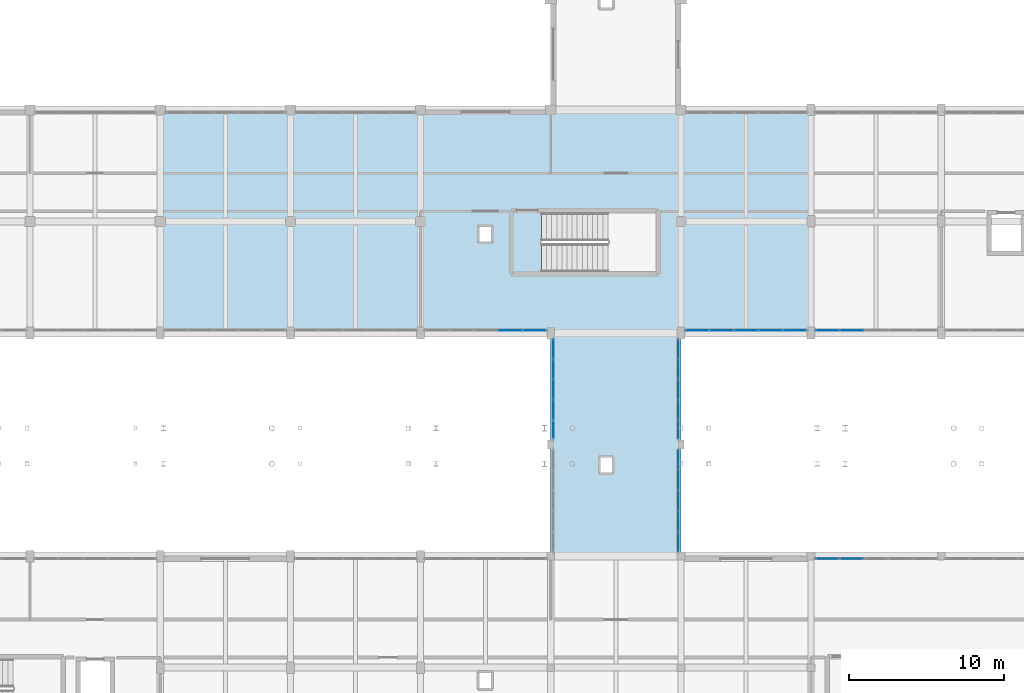
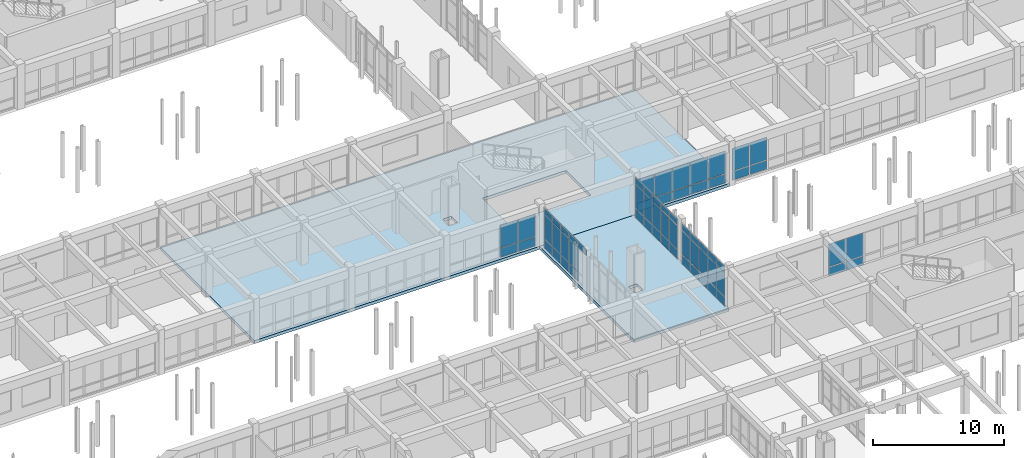
# One storey, part 110 of 147: 65 plates, 2 slabs, 7 elements without a shape of their own.
"""IFC4 building model written with IfcOpenShell, lengths in metres."""

from ifc_helpers import new_model, si_unit, direction, frame, origin, origin_2d, place, context, subcontext, project, spatial, polyline, rectangle, outline, extrude, material, layer, layer_set, type_object, element, aggregate, save


model = new_model("IFC4")

# Units and contexts
model_context = context("Model", 3, precision=1e-05, world=origin(), true_north=direction((0.0, 1.0)))
body_context = subcontext(model_context, "Body", "Model", "MODEL_VIEW")
ifc_project = project(units=[si_unit("LENGTHUNIT", "METRE"), si_unit("AREAUNIT", "SQUARE_METRE"), si_unit("VOLUMEUNIT", "CUBIC_METRE"), si_unit("PLANEANGLEUNIT", "RADIAN"), si_unit("MASSUNIT", "GRAM", prefix="KILO")], contexts=[model_context])

# Site, building, storey
site_placement = place(None, origin())
site = spatial("IfcSite", under=ifc_project, at=site_placement, CompositionType="ELEMENT")
building_placement = place(site_placement, origin())
building = spatial("IfcBuilding", under=site, at=building_placement, Name="Malvenik Polytechnic", CompositionType="ELEMENT")
storey_placement = place(building_placement, frame((0.0, 0.0, 5.10009765625)))
storey = spatial("IfcBuildingStorey", under=building, at=storey_placement, Name="L01", CompositionType="ELEMENT", Elevation=5.10009765625)

# Curtain wall, plates
ifc_material_1 = material(Name="Anodised aluminium 6060-T6", Category="aluminium")
curtain_wall_type_1 = type_object("IfcCurtainWallType", Name="ARC-CW-CW-04", PredefinedType="NOTDEFINED", material=ifc_material_1)
curtain_wall_1_placement = place(storey_placement, origin())
curtain_wall_1 = element("IfcCurtainWall", 1, at=curtain_wall_1_placement, inside=storey, type_object=curtain_wall_type_1, Name="Unitised Curtain Wall CW-04 L01 #24", PredefinedType="NOTDEFINED")
ifc_material_2 = material(Name="Insulated low-E double glazing 8-16-8", Category="glass")
ifc_layer_1 = layer(ifc_material_2, 0.028076171875)
ifc_layer_set_1 = layer_set([ifc_layer_1], Name="Insulated low-E double glazing 8-16-8")
plate_type_1 = type_object("IfcPlateType", Name="ARC-CWP-CP-GLZ28", PredefinedType="CURTAIN_PANEL", material=ifc_layer_set_1)
plate_1_placement = place(storey_placement, frame((75.77001953125, 72.9658203125, 3.239990234375), z_axis=(0.0, 0.0, 1.0), x_axis=(0.0, 1.0, 0.0)))
plate_1 = element("IfcPlate", 2, at=plate_1_placement, type_object=plate_type_1, Name="CW-04 panel 1.3", PredefinedType="CURTAIN_PANEL", context=body_context, shape_type="SweptSolid", body=[
    extrude(rectangle(XDim=1.2158203125, YDim=0.028076171875, at=origin_2d()), origin(), (0.0, 0.0, 1.0), 0.56005859375),
])
plate_2_placement = place(storey_placement, frame((75.77001953125, 74.256591796875, 0.97998046875), z_axis=(0.0, 0.0, 1.0), x_axis=(0.0, 1.0, 0.0)))
plate_2 = element("IfcPlate", 3, at=plate_2_placement, type_object=plate_type_1, Name="CW-04 panel 2.2", PredefinedType="CURTAIN_PANEL", context=body_context, shape_type="SweptSolid", body=[
    extrude(rectangle(XDim=1.245849609375, YDim=0.028076171875, at=origin_2d()), origin(), (0.0, 0.0, 1.0), 2.199951171875),
])
plate_3_placement = place(storey_placement, frame((75.77001953125, 74.256591796875, 3.239990234375), z_axis=(0.0, 0.0, 1.0), x_axis=(0.0, 1.0, 0.0)))
plate_3 = element("IfcPlate", 4, at=plate_3_placement, type_object=plate_type_1, Name="CW-04 panel 2.3", PredefinedType="CURTAIN_PANEL", context=body_context, shape_type="SweptSolid", body=[
    extrude(rectangle(XDim=1.245849609375, YDim=0.028076171875, at=origin_2d()), origin(), (0.0, 0.0, 1.0), 0.56005859375),
])
plate_4_placement = place(storey_placement, frame((75.77001953125, 75.5625, 0.97998046875), z_axis=(0.0, 0.0, 1.0), x_axis=(0.0, 1.0, 0.0)))
plate_4 = element("IfcPlate", 5, at=plate_4_placement, type_object=plate_type_1, Name="CW-04 panel 3.2", PredefinedType="CURTAIN_PANEL", context=body_context, shape_type="SweptSolid", body=[
    extrude(rectangle(XDim=1.245849609375, YDim=0.028076171875, at=origin_2d()), origin(), (0.0, 0.0, 1.0), 2.199951171875),
])
plate_5_placement = place(storey_placement, frame((75.77001953125, 75.5625, 3.239990234375), z_axis=(0.0, 0.0, 1.0), x_axis=(0.0, 1.0, 0.0)))
plate_5 = element("IfcPlate", 6, at=plate_5_placement, type_object=plate_type_1, Name="CW-04 panel 3.3", PredefinedType="CURTAIN_PANEL", context=body_context, shape_type="SweptSolid", body=[
    extrude(rectangle(XDim=1.245849609375, YDim=0.028076171875, at=origin_2d()), origin(), (0.0, 0.0, 1.0), 0.56005859375),
])
plate_6_placement = place(storey_placement, frame((75.77001953125, 76.868408203125, 0.97998046875), z_axis=(0.0, 0.0, 1.0), x_axis=(0.0, 1.0, 0.0)))
plate_6 = element("IfcPlate", 7, at=plate_6_placement, type_object=plate_type_1, Name="CW-04 panel 4.2", PredefinedType="CURTAIN_PANEL", context=body_context, shape_type="SweptSolid", body=[
    extrude(rectangle(XDim=1.245849609375, YDim=0.028076171875, at=origin_2d()), origin(), (0.0, 0.0, 1.0), 2.199951171875),
])
plate_7_placement = place(storey_placement, frame((75.77001953125, 76.868408203125, 3.239990234375), z_axis=(0.0, 0.0, 1.0), x_axis=(0.0, 1.0, 0.0)))
plate_7 = element("IfcPlate", 8, at=plate_7_placement, type_object=plate_type_1, Name="CW-04 panel 4.3", PredefinedType="CURTAIN_PANEL", context=body_context, shape_type="SweptSolid", body=[
    extrude(rectangle(XDim=1.245849609375, YDim=0.028076171875, at=origin_2d()), origin(), (0.0, 0.0, 1.0), 0.56005859375),
])
plate_8_placement = place(storey_placement, frame((75.77001953125, 78.1591796875, 0.97998046875), z_axis=(0.0, 0.0, 1.0), x_axis=(0.0, 1.0, 0.0)))
plate_8 = element("IfcPlate", 9, at=plate_8_placement, type_object=plate_type_1, Name="CW-04 panel 5.2", PredefinedType="CURTAIN_PANEL", context=body_context, shape_type="SweptSolid", body=[
    extrude(rectangle(XDim=1.2158203125, YDim=0.028076171875, at=origin_2d()), origin(), (0.0, 0.0, 1.0), 2.199951171875),
])
plate_9_placement = place(storey_placement, frame((75.77001953125, 78.1591796875, 3.239990234375), z_axis=(0.0, 0.0, 1.0), x_axis=(0.0, 1.0, 0.0)))
plate_9 = element("IfcPlate", 10, at=plate_9_placement, type_object=plate_type_1, Name="CW-04 panel 5.3", PredefinedType="CURTAIN_PANEL", context=body_context, shape_type="SweptSolid", body=[
    extrude(rectangle(XDim=1.2158203125, YDim=0.028076171875, at=origin_2d()), origin(), (0.0, 0.0, 1.0), 0.56005859375),
])

curtain_wall_type_2 = type_object("IfcCurtainWallType", Name="ARC-CW-CW-02", PredefinedType="NOTDEFINED", material=ifc_material_1)
curtain_wall_2_placement = place(storey_placement, origin())
curtain_wall_2 = element("IfcCurtainWall", 11, at=curtain_wall_2_placement, inside=storey, type_object=curtain_wall_type_2, Name="Unitised Curtain Wall CW-02 L01 #25", PredefinedType="NOTDEFINED")
plate_10_placement = place(storey_placement, frame((74.546630859375, 79.3701171875, 0.929931640625), z_axis=(0.0, 0.0, 1.0), x_axis=(-1.0, 0.0, 0.0)))
plate_10 = element("IfcPlate", 12, at=plate_10_placement, type_object=plate_type_1, Name="CW-02 panel 1.2", PredefinedType="CURTAIN_PANEL", context=body_context, shape_type="SweptSolid", body=[
    extrude(rectangle(XDim=1.49072265625, YDim=0.028076171875, at=origin_2d()), origin(), (0.0, 0.0, 1.0), 2.1201171875),
])
plate_11_placement = place(storey_placement, frame((72.980712890625, 79.3701171875, 0.929931640625), z_axis=(0.0, 0.0, 1.0), x_axis=(-1.0, 0.0, 0.0)))
plate_11 = element("IfcPlate", 13, at=plate_11_placement, type_object=plate_type_1, Name="CW-02 panel 2.2", PredefinedType="CURTAIN_PANEL", context=body_context, shape_type="SweptSolid", body=[
    extrude(rectangle(XDim=1.520751953125, YDim=0.028076171875, at=origin_2d()), origin(), (0.0, 0.0, 1.0), 2.1201171875),
])

curtain_wall_3_placement = place(storey_placement, origin())
curtain_wall_3 = element("IfcCurtainWall", 14, at=curtain_wall_3_placement, inside=storey, type_object=curtain_wall_type_2, Name="Unitised Curtain Wall CW-02 L01 #80", PredefinedType="NOTDEFINED")
plate_12_placement = place(storey_placement, frame((95.019287109375, 79.3701171875, 0.929931640625), z_axis=(0.0, 0.0, 1.0), x_axis=(-1.0, 0.0, 0.0)))
plate_12 = element("IfcPlate", 15, at=plate_12_placement, type_object=plate_type_1, Name="CW-02 panel 4.2", PredefinedType="CURTAIN_PANEL", context=body_context, shape_type="SweptSolid", body=[
    extrude(rectangle(XDim=1.520751953125, YDim=0.028076171875, at=origin_2d()), origin(), (0.0, 0.0, 1.0), 2.1201171875),
])
plate_13_placement = place(storey_placement, frame((93.453369140625, 79.3701171875, 0.929931640625), z_axis=(0.0, 0.0, 1.0), x_axis=(-1.0, 0.0, 0.0)))
plate_13 = element("IfcPlate", 16, at=plate_13_placement, type_object=plate_type_1, Name="CW-02 panel 5.2", PredefinedType="CURTAIN_PANEL", context=body_context, shape_type="SweptSolid", body=[
    extrude(rectangle(XDim=1.49072265625, YDim=0.028076171875, at=origin_2d()), origin(), (0.0, 0.0, 1.0), 2.1201171875),
])

curtain_wall_4_placement = place(storey_placement, origin())
curtain_wall_4 = element("IfcCurtainWall", 17, at=curtain_wall_4_placement, inside=storey, type_object=curtain_wall_type_2, Name="Unitised Curtain Wall CW-02 L01 #81", PredefinedType="NOTDEFINED")
plate_14_placement = place(storey_placement, frame((91.3466796875, 79.3701171875, 0.929931640625), z_axis=(0.0, 0.0, 1.0), x_axis=(-1.0, 0.0, 0.0)))
plate_14 = element("IfcPlate", 18, at=plate_14_placement, type_object=plate_type_1, Name="CW-02 panel 1.2", PredefinedType="CURTAIN_PANEL", context=body_context, shape_type="SweptSolid", body=[
    extrude(rectangle(XDim=1.49072265625, YDim=0.028076171875, at=origin_2d()), origin(), (0.0, 0.0, 1.0), 2.1201171875),
])
plate_15_placement = place(storey_placement, frame((89.78076171875, 79.3701171875, 0.929931640625), z_axis=(0.0, 0.0, 1.0), x_axis=(-1.0, 0.0, 0.0)))
plate_15 = element("IfcPlate", 19, at=plate_15_placement, type_object=plate_type_1, Name="CW-02 panel 2.2", PredefinedType="CURTAIN_PANEL", context=body_context, shape_type="SweptSolid", body=[
    extrude(rectangle(XDim=1.520751953125, YDim=0.028076171875, at=origin_2d()), origin(), (0.0, 0.0, 1.0), 2.1201171875),
])
plate_16_placement = place(storey_placement, frame((88.199951171875, 79.3701171875, 0.929931640625), z_axis=(0.0, 0.0, 1.0), x_axis=(-1.0, 0.0, 0.0)))
plate_16 = element("IfcPlate", 20, at=plate_16_placement, type_object=plate_type_1, Name="CW-02 panel 3.2", PredefinedType="CURTAIN_PANEL", context=body_context, shape_type="SweptSolid", body=[
    extrude(rectangle(XDim=1.520751953125, YDim=0.028076171875, at=origin_2d()), origin(), (0.0, 0.0, 1.0), 2.1201171875),
])
plate_17_placement = place(storey_placement, frame((86.619140625, 79.3701171875, 0.929931640625), z_axis=(0.0, 0.0, 1.0), x_axis=(-1.0, 0.0, 0.0)))
plate_17 = element("IfcPlate", 21, at=plate_17_placement, type_object=plate_type_1, Name="CW-02 panel 4.2", PredefinedType="CURTAIN_PANEL", context=body_context, shape_type="SweptSolid", body=[
    extrude(rectangle(XDim=1.520751953125, YDim=0.028076171875, at=origin_2d()), origin(), (0.0, 0.0, 1.0), 2.1201171875),
])
plate_18_placement = place(storey_placement, frame((85.053466796875, 79.3701171875, 0.929931640625), z_axis=(0.0, 0.0, 1.0), x_axis=(-1.0, 0.0, 0.0)))
plate_18 = element("IfcPlate", 22, at=plate_18_placement, type_object=plate_type_1, Name="CW-02 panel 5.2", PredefinedType="CURTAIN_PANEL", context=body_context, shape_type="SweptSolid", body=[
    extrude(rectangle(XDim=1.49072265625, YDim=0.028076171875, at=origin_2d()), origin(), (0.0, 0.0, 1.0), 2.1201171875),
])

curtain_wall_5_placement = place(storey_placement, origin())
curtain_wall_5 = element("IfcCurtainWall", 23, at=curtain_wall_5_placement, inside=storey, type_object=curtain_wall_type_1, Name="Unitised Curtain Wall CW-04 L01 #82", PredefinedType="NOTDEFINED")
plate_19_placement = place(storey_placement, frame((83.830078125, 78.1591796875, 0.97998046875), z_axis=(0.0, 0.0, 1.0), x_axis=(0.0, -1.0, 0.0)))
plate_19 = element("IfcPlate", 24, at=plate_19_placement, type_object=plate_type_1, Name="CW-04 panel 1.2", PredefinedType="CURTAIN_PANEL", context=body_context, shape_type="SweptSolid", body=[
    extrude(rectangle(XDim=1.2158203125, YDim=0.028076171875, at=origin_2d()), origin(), (0.0, 0.0, 1.0), 2.199951171875),
])
plate_20_placement = place(storey_placement, frame((83.830078125, 78.1591796875, 3.239990234375), z_axis=(0.0, 0.0, 1.0), x_axis=(0.0, -1.0, 0.0)))
plate_20 = element("IfcPlate", 25, at=plate_20_placement, type_object=plate_type_1, Name="CW-04 panel 1.3", PredefinedType="CURTAIN_PANEL", context=body_context, shape_type="SweptSolid", body=[
    extrude(rectangle(XDim=1.2158203125, YDim=0.028076171875, at=origin_2d()), origin(), (0.0, 0.0, 1.0), 0.56005859375),
])
plate_21_placement = place(storey_placement, frame((83.830078125, 76.868408203125, 0.97998046875), z_axis=(0.0, 0.0, 1.0), x_axis=(0.0, -1.0, 0.0)))
plate_21 = element("IfcPlate", 26, at=plate_21_placement, type_object=plate_type_1, Name="CW-04 panel 2.2", PredefinedType="CURTAIN_PANEL", context=body_context, shape_type="SweptSolid", body=[
    extrude(rectangle(XDim=1.245849609375, YDim=0.028076171875, at=origin_2d()), origin(), (0.0, 0.0, 1.0), 2.199951171875),
])
plate_22_placement = place(storey_placement, frame((83.830078125, 76.868408203125, 3.239990234375), z_axis=(0.0, 0.0, 1.0), x_axis=(0.0, -1.0, 0.0)))
plate_22 = element("IfcPlate", 27, at=plate_22_placement, type_object=plate_type_1, Name="CW-04 panel 2.3", PredefinedType="CURTAIN_PANEL", context=body_context, shape_type="SweptSolid", body=[
    extrude(rectangle(XDim=1.245849609375, YDim=0.028076171875, at=origin_2d()), origin(), (0.0, 0.0, 1.0), 0.56005859375),
])
plate_23_placement = place(storey_placement, frame((83.830078125, 75.5625, 0.97998046875), z_axis=(0.0, 0.0, 1.0), x_axis=(0.0, -1.0, 0.0)))
plate_23 = element("IfcPlate", 28, at=plate_23_placement, type_object=plate_type_1, Name="CW-04 panel 3.2", PredefinedType="CURTAIN_PANEL", context=body_context, shape_type="SweptSolid", body=[
    extrude(rectangle(XDim=1.245849609375, YDim=0.028076171875, at=origin_2d()), origin(), (0.0, 0.0, 1.0), 2.199951171875),
])
plate_24_placement = place(storey_placement, frame((83.830078125, 75.5625, 3.239990234375), z_axis=(0.0, 0.0, 1.0), x_axis=(0.0, -1.0, 0.0)))
plate_24 = element("IfcPlate", 29, at=plate_24_placement, type_object=plate_type_1, Name="CW-04 panel 3.3", PredefinedType="CURTAIN_PANEL", context=body_context, shape_type="SweptSolid", body=[
    extrude(rectangle(XDim=1.245849609375, YDim=0.028076171875, at=origin_2d()), origin(), (0.0, 0.0, 1.0), 0.56005859375),
])
plate_25_placement = place(storey_placement, frame((83.830078125, 74.256591796875, 0.97998046875), z_axis=(0.0, 0.0, 1.0), x_axis=(0.0, -1.0, 0.0)))
plate_25 = element("IfcPlate", 30, at=plate_25_placement, type_object=plate_type_1, Name="CW-04 panel 4.2", PredefinedType="CURTAIN_PANEL", context=body_context, shape_type="SweptSolid", body=[
    extrude(rectangle(XDim=1.245849609375, YDim=0.028076171875, at=origin_2d()), origin(), (0.0, 0.0, 1.0), 2.199951171875),
])
plate_26_placement = place(storey_placement, frame((83.830078125, 74.256591796875, 3.239990234375), z_axis=(0.0, 0.0, 1.0), x_axis=(0.0, -1.0, 0.0)))
plate_26 = element("IfcPlate", 31, at=plate_26_placement, type_object=plate_type_1, Name="CW-04 panel 4.3", PredefinedType="CURTAIN_PANEL", context=body_context, shape_type="SweptSolid", body=[
    extrude(rectangle(XDim=1.245849609375, YDim=0.028076171875, at=origin_2d()), origin(), (0.0, 0.0, 1.0), 0.56005859375),
])
plate_27_placement = place(storey_placement, frame((83.830078125, 72.9658203125, 0.97998046875), z_axis=(0.0, 0.0, 1.0), x_axis=(0.0, -1.0, 0.0)))
plate_27 = element("IfcPlate", 32, at=plate_27_placement, type_object=plate_type_1, Name="CW-04 panel 5.2", PredefinedType="CURTAIN_PANEL", context=body_context, shape_type="SweptSolid", body=[
    extrude(rectangle(XDim=1.2158203125, YDim=0.028076171875, at=origin_2d()), origin(), (0.0, 0.0, 1.0), 2.199951171875),
])
plate_28_placement = place(storey_placement, frame((83.830078125, 72.9658203125, 3.239990234375), z_axis=(0.0, 0.0, 1.0), x_axis=(0.0, -1.0, 0.0)))
plate_28 = element("IfcPlate", 33, at=plate_28_placement, type_object=plate_type_1, Name="CW-04 panel 5.3", PredefinedType="CURTAIN_PANEL", context=body_context, shape_type="SweptSolid", body=[
    extrude(rectangle(XDim=1.2158203125, YDim=0.028076171875, at=origin_2d()), origin(), (0.0, 0.0, 1.0), 0.56005859375),
])

curtain_wall_6_placement = place(storey_placement, origin())
curtain_wall_6 = element("IfcCurtainWall", 34, at=curtain_wall_6_placement, inside=storey, type_object=curtain_wall_type_1, Name="Unitised Curtain Wall CW-04 L01 #83", PredefinedType="NOTDEFINED")
plate_29_placement = place(storey_placement, frame((83.830078125, 71.021484375, 0.97998046875), z_axis=(0.0, 0.0, 1.0), x_axis=(0.0, -1.0, 0.0)))
plate_29 = element("IfcPlate", 35, at=plate_29_placement, type_object=plate_type_1, Name="CW-04 panel 1.2", PredefinedType="CURTAIN_PANEL", context=body_context, shape_type="SweptSolid", body=[
    extrude(rectangle(XDim=1.24072265625, YDim=0.028076171875, at=origin_2d()), origin(), (0.0, 0.0, 1.0), 2.199951171875),
])
plate_30_placement = place(storey_placement, frame((83.830078125, 71.021484375, 3.239990234375), z_axis=(0.0, 0.0, 1.0), x_axis=(0.0, -1.0, 0.0)))
plate_30 = element("IfcPlate", 36, at=plate_30_placement, type_object=plate_type_1, Name="CW-04 panel 1.3", PredefinedType="CURTAIN_PANEL", context=body_context, shape_type="SweptSolid", body=[
    extrude(rectangle(XDim=1.24072265625, YDim=0.028076171875, at=origin_2d()), origin(), (0.0, 0.0, 1.0), 0.56005859375),
])
plate_31_placement = place(storey_placement, frame((83.830078125, 69.705810546875, 0.97998046875), z_axis=(0.0, 0.0, 1.0), x_axis=(0.0, -1.0, 0.0)))
plate_31 = element("IfcPlate", 37, at=plate_31_placement, type_object=plate_type_1, Name="CW-04 panel 2.2", PredefinedType="CURTAIN_PANEL", context=body_context, shape_type="SweptSolid", body=[
    extrude(rectangle(XDim=1.270751953125, YDim=0.028076171875, at=origin_2d()), origin(), (0.0, 0.0, 1.0), 2.199951171875),
])
plate_32_placement = place(storey_placement, frame((83.830078125, 69.705810546875, 3.239990234375), z_axis=(0.0, 0.0, 1.0), x_axis=(0.0, -1.0, 0.0)))
plate_32 = element("IfcPlate", 38, at=plate_32_placement, type_object=plate_type_1, Name="CW-04 panel 2.3", PredefinedType="CURTAIN_PANEL", context=body_context, shape_type="SweptSolid", body=[
    extrude(rectangle(XDim=1.270751953125, YDim=0.028076171875, at=origin_2d()), origin(), (0.0, 0.0, 1.0), 0.56005859375),
])
plate_33_placement = place(storey_placement, frame((83.830078125, 68.375, 0.97998046875), z_axis=(0.0, 0.0, 1.0), x_axis=(0.0, -1.0, 0.0)))
plate_33 = element("IfcPlate", 39, at=plate_33_placement, type_object=plate_type_1, Name="CW-04 panel 3.2", PredefinedType="CURTAIN_PANEL", context=body_context, shape_type="SweptSolid", body=[
    extrude(rectangle(XDim=1.270751953125, YDim=0.028076171875, at=origin_2d()), origin(), (0.0, 0.0, 1.0), 2.199951171875),
])
plate_34_placement = place(storey_placement, frame((83.830078125, 68.375, 3.239990234375), z_axis=(0.0, 0.0, 1.0), x_axis=(0.0, -1.0, 0.0)))
plate_34 = element("IfcPlate", 40, at=plate_34_placement, type_object=plate_type_1, Name="CW-04 panel 3.3", PredefinedType="CURTAIN_PANEL", context=body_context, shape_type="SweptSolid", body=[
    extrude(rectangle(XDim=1.270751953125, YDim=0.028076171875, at=origin_2d()), origin(), (0.0, 0.0, 1.0), 0.56005859375),
])
plate_35_placement = place(storey_placement, frame((83.830078125, 67.044189453125, 0.97998046875), z_axis=(0.0, 0.0, 1.0), x_axis=(0.0, -1.0, 0.0)))
plate_35 = element("IfcPlate", 41, at=plate_35_placement, type_object=plate_type_1, Name="CW-04 panel 4.2", PredefinedType="CURTAIN_PANEL", context=body_context, shape_type="SweptSolid", body=[
    extrude(rectangle(XDim=1.270751953125, YDim=0.028076171875, at=origin_2d()), origin(), (0.0, 0.0, 1.0), 2.199951171875),
])
plate_36_placement = place(storey_placement, frame((83.830078125, 67.044189453125, 3.239990234375), z_axis=(0.0, 0.0, 1.0), x_axis=(0.0, -1.0, 0.0)))
plate_36 = element("IfcPlate", 42, at=plate_36_placement, type_object=plate_type_1, Name="CW-04 panel 4.3", PredefinedType="CURTAIN_PANEL", context=body_context, shape_type="SweptSolid", body=[
    extrude(rectangle(XDim=1.270751953125, YDim=0.028076171875, at=origin_2d()), origin(), (0.0, 0.0, 1.0), 0.56005859375),
])
plate_37_placement = place(storey_placement, frame((83.830078125, 65.728515625, 0.97998046875), z_axis=(0.0, 0.0, 1.0), x_axis=(0.0, -1.0, 0.0)))
plate_37 = element("IfcPlate", 43, at=plate_37_placement, type_object=plate_type_1, Name="CW-04 panel 5.2", PredefinedType="CURTAIN_PANEL", context=body_context, shape_type="SweptSolid", body=[
    extrude(rectangle(XDim=1.24072265625, YDim=0.028076171875, at=origin_2d()), origin(), (0.0, 0.0, 1.0), 2.199951171875),
])
plate_38_placement = place(storey_placement, frame((83.830078125, 65.728515625, 3.239990234375), z_axis=(0.0, 0.0, 1.0), x_axis=(0.0, -1.0, 0.0)))
plate_38 = element("IfcPlate", 44, at=plate_38_placement, type_object=plate_type_1, Name="CW-04 panel 5.3", PredefinedType="CURTAIN_PANEL", context=body_context, shape_type="SweptSolid", body=[
    extrude(rectangle(XDim=1.24072265625, YDim=0.028076171875, at=origin_2d()), origin(), (0.0, 0.0, 1.0), 0.56005859375),
])

curtain_wall_7_placement = place(storey_placement, origin())
curtain_wall_7 = element("IfcCurtainWall", 45, at=curtain_wall_7_placement, inside=storey, type_object=curtain_wall_type_2, Name="Unitised Curtain Wall CW-02 L01 #84", PredefinedType="NOTDEFINED")
plate_39_placement = place(storey_placement, frame((93.453369140625, 64.6298828125, 0.929931640625), z_axis=(0.0, 0.0, 1.0), x_axis=(1.0, 0.0, 0.0)))
plate_39 = element("IfcPlate", 46, at=plate_39_placement, type_object=plate_type_1, Name="CW-02 panel 1.2", PredefinedType="CURTAIN_PANEL", context=body_context, shape_type="SweptSolid", body=[
    extrude(rectangle(XDim=1.49072265625, YDim=0.028076171875, at=origin_2d()), origin(), (0.0, 0.0, 1.0), 2.1201171875),
])
plate_40_placement = place(storey_placement, frame((95.019287109375, 64.6298828125, 0.929931640625), z_axis=(0.0, 0.0, 1.0), x_axis=(1.0, 0.0, 0.0)))
plate_40 = element("IfcPlate", 47, at=plate_40_placement, type_object=plate_type_1, Name="CW-02 panel 2.2", PredefinedType="CURTAIN_PANEL", context=body_context, shape_type="SweptSolid", body=[
    extrude(rectangle(XDim=1.520751953125, YDim=0.028076171875, at=origin_2d()), origin(), (0.0, 0.0, 1.0), 2.1201171875),
])

# Plate
ifc_material_3 = material(Name="Insulated aluminium spandrel cassette 42mm", Category="aluminium")
ifc_layer_2 = layer(ifc_material_3, 0.0419921875)
ifc_layer_set_2 = layer_set([ifc_layer_2], Name="Insulated aluminium spandrel cassette 42mm")
plate_type_2 = type_object("IfcPlateType", Name="ARC-CWP-CP-SPN42", PredefinedType="CURTAIN_PANEL", material=ifc_layer_set_2)
plate_41_placement = place(storey_placement, frame((75.77001953125, 74.256591796875, 0.06005859375), z_axis=(0.0, 0.0, 1.0), x_axis=(0.0, 1.0, 0.0)))
plate_41 = element("IfcPlate", 48, at=plate_41_placement, type_object=plate_type_2, Name="CW-04 panel 2.1", PredefinedType="CURTAIN_PANEL", context=body_context, shape_type="SweptSolid", body=[
    extrude(rectangle(XDim=1.245849609375, YDim=0.028076171875, at=origin_2d()), origin(), (0.0, 0.0, 1.0), 0.860107421875),
])

plate_42_placement = place(storey_placement, frame((75.77001953125, 75.5625, 0.06005859375), z_axis=(0.0, 0.0, 1.0), x_axis=(0.0, 1.0, 0.0)))
plate_42 = element("IfcPlate", 49, at=plate_42_placement, type_object=plate_type_2, Name="CW-04 panel 3.1", PredefinedType="CURTAIN_PANEL", context=body_context, shape_type="SweptSolid", body=[
    extrude(rectangle(XDim=1.245849609375, YDim=0.028076171875, at=origin_2d()), origin(), (0.0, 0.0, 1.0), 0.860107421875),
])

plate_43_placement = place(storey_placement, frame((75.77001953125, 76.868408203125, 0.06005859375), z_axis=(0.0, 0.0, 1.0), x_axis=(0.0, 1.0, 0.0)))
plate_43 = element("IfcPlate", 50, at=plate_43_placement, type_object=plate_type_2, Name="CW-04 panel 4.1", PredefinedType="CURTAIN_PANEL", context=body_context, shape_type="SweptSolid", body=[
    extrude(rectangle(XDim=1.245849609375, YDim=0.028076171875, at=origin_2d()), origin(), (0.0, 0.0, 1.0), 0.860107421875),
])

plate_44_placement = place(storey_placement, frame((75.77001953125, 78.1591796875, 0.06005859375), z_axis=(0.0, 0.0, 1.0), x_axis=(0.0, 1.0, 0.0)))
plate_44 = element("IfcPlate", 51, at=plate_44_placement, type_object=plate_type_2, Name="CW-04 panel 5.1", PredefinedType="CURTAIN_PANEL", context=body_context, shape_type="SweptSolid", body=[
    extrude(rectangle(XDim=1.2158203125, YDim=0.028076171875, at=origin_2d()), origin(), (0.0, 0.0, 1.0), 0.860107421875),
])

aggregate(curtain_wall_1, [plate_1, plate_41, plate_2, plate_3, plate_42, plate_4, plate_5, plate_43, plate_6, plate_7, plate_44, plate_8, plate_9])

plate_45_placement = place(storey_placement, frame((74.546630859375, 79.3701171875, 0.059814453125), z_axis=(0.0, 0.0, 1.0), x_axis=(-1.0, 0.0, 0.0)))
plate_45 = element("IfcPlate", 52, at=plate_45_placement, type_object=plate_type_2, Name="CW-02 panel 1.1", PredefinedType="CURTAIN_PANEL", context=body_context, shape_type="SweptSolid", body=[
    extrude(rectangle(XDim=1.49072265625, YDim=0.028076171875, at=origin_2d()), origin(), (0.0, 0.0, 1.0), 0.81005859375),
])

plate_46_placement = place(storey_placement, frame((72.980712890625, 79.3701171875, 0.059814453125), z_axis=(0.0, 0.0, 1.0), x_axis=(-1.0, 0.0, 0.0)))
plate_46 = element("IfcPlate", 53, at=plate_46_placement, type_object=plate_type_2, Name="CW-02 panel 2.1", PredefinedType="CURTAIN_PANEL", context=body_context, shape_type="SweptSolid", body=[
    extrude(rectangle(XDim=1.520751953125, YDim=0.028076171875, at=origin_2d()), origin(), (0.0, 0.0, 1.0), 0.81005859375),
])

aggregate(curtain_wall_2, [plate_45, plate_10, plate_46, plate_11])

plate_47_placement = place(storey_placement, frame((95.019287109375, 79.3701171875, 0.059814453125), z_axis=(0.0, 0.0, 1.0), x_axis=(-1.0, 0.0, 0.0)))
plate_47 = element("IfcPlate", 54, at=plate_47_placement, type_object=plate_type_2, Name="CW-02 panel 4.1", PredefinedType="CURTAIN_PANEL", context=body_context, shape_type="SweptSolid", body=[
    extrude(rectangle(XDim=1.520751953125, YDim=0.028076171875, at=origin_2d()), origin(), (0.0, 0.0, 1.0), 0.81005859375),
])

plate_48_placement = place(storey_placement, frame((93.453369140625, 79.3701171875, 0.059814453125), z_axis=(0.0, 0.0, 1.0), x_axis=(-1.0, 0.0, 0.0)))
plate_48 = element("IfcPlate", 55, at=plate_48_placement, type_object=plate_type_2, Name="CW-02 panel 5.1", PredefinedType="CURTAIN_PANEL", context=body_context, shape_type="SweptSolid", body=[
    extrude(rectangle(XDim=1.49072265625, YDim=0.028076171875, at=origin_2d()), origin(), (0.0, 0.0, 1.0), 0.81005859375),
])

aggregate(curtain_wall_3, [plate_47, plate_12, plate_48, plate_13])

plate_49_placement = place(storey_placement, frame((91.3466796875, 79.3701171875, 0.059814453125), z_axis=(0.0, 0.0, 1.0), x_axis=(-1.0, 0.0, 0.0)))
plate_49 = element("IfcPlate", 56, at=plate_49_placement, type_object=plate_type_2, Name="CW-02 panel 1.1", PredefinedType="CURTAIN_PANEL", context=body_context, shape_type="SweptSolid", body=[
    extrude(rectangle(XDim=1.49072265625, YDim=0.028076171875, at=origin_2d()), origin(), (0.0, 0.0, 1.0), 0.81005859375),
])

plate_50_placement = place(storey_placement, frame((89.78076171875, 79.3701171875, 0.059814453125), z_axis=(0.0, 0.0, 1.0), x_axis=(-1.0, 0.0, 0.0)))
plate_50 = element("IfcPlate", 57, at=plate_50_placement, type_object=plate_type_2, Name="CW-02 panel 2.1", PredefinedType="CURTAIN_PANEL", context=body_context, shape_type="SweptSolid", body=[
    extrude(rectangle(XDim=1.520751953125, YDim=0.028076171875, at=origin_2d()), origin(), (0.0, 0.0, 1.0), 0.81005859375),
])

plate_51_placement = place(storey_placement, frame((88.199951171875, 79.3701171875, 0.059814453125), z_axis=(0.0, 0.0, 1.0), x_axis=(-1.0, 0.0, 0.0)))
plate_51 = element("IfcPlate", 58, at=plate_51_placement, type_object=plate_type_2, Name="CW-02 panel 3.1", PredefinedType="CURTAIN_PANEL", context=body_context, shape_type="SweptSolid", body=[
    extrude(rectangle(XDim=1.520751953125, YDim=0.028076171875, at=origin_2d()), origin(), (0.0, 0.0, 1.0), 0.81005859375),
])

plate_52_placement = place(storey_placement, frame((86.619140625, 79.3701171875, 0.059814453125), z_axis=(0.0, 0.0, 1.0), x_axis=(-1.0, 0.0, 0.0)))
plate_52 = element("IfcPlate", 59, at=plate_52_placement, type_object=plate_type_2, Name="CW-02 panel 4.1", PredefinedType="CURTAIN_PANEL", context=body_context, shape_type="SweptSolid", body=[
    extrude(rectangle(XDim=1.520751953125, YDim=0.028076171875, at=origin_2d()), origin(), (0.0, 0.0, 1.0), 0.81005859375),
])

plate_53_placement = place(storey_placement, frame((85.053466796875, 79.3701171875, 0.059814453125), z_axis=(0.0, 0.0, 1.0), x_axis=(-1.0, 0.0, 0.0)))
plate_53 = element("IfcPlate", 60, at=plate_53_placement, type_object=plate_type_2, Name="CW-02 panel 5.1", PredefinedType="CURTAIN_PANEL", context=body_context, shape_type="SweptSolid", body=[
    extrude(rectangle(XDim=1.49072265625, YDim=0.028076171875, at=origin_2d()), origin(), (0.0, 0.0, 1.0), 0.81005859375),
])

aggregate(curtain_wall_4, [plate_49, plate_14, plate_50, plate_15, plate_51, plate_16, plate_52, plate_17, plate_53, plate_18])

plate_54_placement = place(storey_placement, frame((83.830078125, 78.1591796875, 0.06005859375), z_axis=(0.0, 0.0, 1.0), x_axis=(0.0, -1.0, 0.0)))
plate_54 = element("IfcPlate", 61, at=plate_54_placement, type_object=plate_type_2, Name="CW-04 panel 1.1", PredefinedType="CURTAIN_PANEL", context=body_context, shape_type="SweptSolid", body=[
    extrude(rectangle(XDim=1.2158203125, YDim=0.028076171875, at=origin_2d()), origin(), (0.0, 0.0, 1.0), 0.860107421875),
])

plate_55_placement = place(storey_placement, frame((83.830078125, 76.868408203125, 0.06005859375), z_axis=(0.0, 0.0, 1.0), x_axis=(0.0, -1.0, 0.0)))
plate_55 = element("IfcPlate", 62, at=plate_55_placement, type_object=plate_type_2, Name="CW-04 panel 2.1", PredefinedType="CURTAIN_PANEL", context=body_context, shape_type="SweptSolid", body=[
    extrude(rectangle(XDim=1.245849609375, YDim=0.028076171875, at=origin_2d()), origin(), (0.0, 0.0, 1.0), 0.860107421875),
])

plate_56_placement = place(storey_placement, frame((83.830078125, 75.5625, 0.06005859375), z_axis=(0.0, 0.0, 1.0), x_axis=(0.0, -1.0, 0.0)))
plate_56 = element("IfcPlate", 63, at=plate_56_placement, type_object=plate_type_2, Name="CW-04 panel 3.1", PredefinedType="CURTAIN_PANEL", context=body_context, shape_type="SweptSolid", body=[
    extrude(rectangle(XDim=1.245849609375, YDim=0.028076171875, at=origin_2d()), origin(), (0.0, 0.0, 1.0), 0.860107421875),
])

plate_57_placement = place(storey_placement, frame((83.830078125, 74.256591796875, 0.06005859375), z_axis=(0.0, 0.0, 1.0), x_axis=(0.0, -1.0, 0.0)))
plate_57 = element("IfcPlate", 64, at=plate_57_placement, type_object=plate_type_2, Name="CW-04 panel 4.1", PredefinedType="CURTAIN_PANEL", context=body_context, shape_type="SweptSolid", body=[
    extrude(rectangle(XDim=1.245849609375, YDim=0.028076171875, at=origin_2d()), origin(), (0.0, 0.0, 1.0), 0.860107421875),
])

plate_58_placement = place(storey_placement, frame((83.830078125, 72.9658203125, 0.06005859375), z_axis=(0.0, 0.0, 1.0), x_axis=(0.0, -1.0, 0.0)))
plate_58 = element("IfcPlate", 65, at=plate_58_placement, type_object=plate_type_2, Name="CW-04 panel 5.1", PredefinedType="CURTAIN_PANEL", context=body_context, shape_type="SweptSolid", body=[
    extrude(rectangle(XDim=1.2158203125, YDim=0.028076171875, at=origin_2d()), origin(), (0.0, 0.0, 1.0), 0.860107421875),
])

aggregate(curtain_wall_5, [plate_54, plate_19, plate_20, plate_55, plate_21, plate_22, plate_56, plate_23, plate_24, plate_57, plate_25, plate_26, plate_58, plate_27, plate_28])

plate_59_placement = place(storey_placement, frame((83.830078125, 71.021484375, 0.06005859375), z_axis=(0.0, 0.0, 1.0), x_axis=(0.0, -1.0, 0.0)))
plate_59 = element("IfcPlate", 66, at=plate_59_placement, type_object=plate_type_2, Name="CW-04 panel 1.1", PredefinedType="CURTAIN_PANEL", context=body_context, shape_type="SweptSolid", body=[
    extrude(rectangle(XDim=1.24072265625, YDim=0.028076171875, at=origin_2d()), origin(), (0.0, 0.0, 1.0), 0.860107421875),
])

plate_60_placement = place(storey_placement, frame((83.830078125, 69.705810546875, 0.06005859375), z_axis=(0.0, 0.0, 1.0), x_axis=(0.0, -1.0, 0.0)))
plate_60 = element("IfcPlate", 67, at=plate_60_placement, type_object=plate_type_2, Name="CW-04 panel 2.1", PredefinedType="CURTAIN_PANEL", context=body_context, shape_type="SweptSolid", body=[
    extrude(rectangle(XDim=1.270751953125, YDim=0.028076171875, at=origin_2d()), origin(), (0.0, 0.0, 1.0), 0.860107421875),
])

plate_61_placement = place(storey_placement, frame((83.830078125, 68.375, 0.06005859375), z_axis=(0.0, 0.0, 1.0), x_axis=(0.0, -1.0, 0.0)))
plate_61 = element("IfcPlate", 68, at=plate_61_placement, type_object=plate_type_2, Name="CW-04 panel 3.1", PredefinedType="CURTAIN_PANEL", context=body_context, shape_type="SweptSolid", body=[
    extrude(rectangle(XDim=1.270751953125, YDim=0.028076171875, at=origin_2d()), origin(), (0.0, 0.0, 1.0), 0.860107421875),
])

plate_62_placement = place(storey_placement, frame((83.830078125, 67.044189453125, 0.06005859375), z_axis=(0.0, 0.0, 1.0), x_axis=(0.0, -1.0, 0.0)))
plate_62 = element("IfcPlate", 69, at=plate_62_placement, type_object=plate_type_2, Name="CW-04 panel 4.1", PredefinedType="CURTAIN_PANEL", context=body_context, shape_type="SweptSolid", body=[
    extrude(rectangle(XDim=1.270751953125, YDim=0.028076171875, at=origin_2d()), origin(), (0.0, 0.0, 1.0), 0.860107421875),
])

plate_63_placement = place(storey_placement, frame((83.830078125, 65.728515625, 0.06005859375), z_axis=(0.0, 0.0, 1.0), x_axis=(0.0, -1.0, 0.0)))
plate_63 = element("IfcPlate", 70, at=plate_63_placement, type_object=plate_type_2, Name="CW-04 panel 5.1", PredefinedType="CURTAIN_PANEL", context=body_context, shape_type="SweptSolid", body=[
    extrude(rectangle(XDim=1.24072265625, YDim=0.028076171875, at=origin_2d()), origin(), (0.0, 0.0, 1.0), 0.860107421875),
])

aggregate(curtain_wall_6, [plate_59, plate_29, plate_30, plate_60, plate_31, plate_32, plate_61, plate_33, plate_34, plate_62, plate_35, plate_36, plate_63, plate_37, plate_38])

plate_64_placement = place(storey_placement, frame((93.453369140625, 64.6298828125, 0.059814453125), z_axis=(0.0, 0.0, 1.0), x_axis=(1.0, 0.0, 0.0)))
plate_64 = element("IfcPlate", 71, at=plate_64_placement, type_object=plate_type_2, Name="CW-02 panel 1.1", PredefinedType="CURTAIN_PANEL", context=body_context, shape_type="SweptSolid", body=[
    extrude(rectangle(XDim=1.49072265625, YDim=0.028076171875, at=origin_2d()), origin(), (0.0, 0.0, 1.0), 0.81005859375),
])

plate_65_placement = place(storey_placement, frame((95.019287109375, 64.6298828125, 0.059814453125), z_axis=(0.0, 0.0, 1.0), x_axis=(1.0, 0.0, 0.0)))
plate_65 = element("IfcPlate", 72, at=plate_65_placement, type_object=plate_type_2, Name="CW-02 panel 2.1", PredefinedType="CURTAIN_PANEL", context=body_context, shape_type="SweptSolid", body=[
    extrude(rectangle(XDim=1.520751953125, YDim=0.028076171875, at=origin_2d()), origin(), (0.0, 0.0, 1.0), 0.81005859375),
])

aggregate(curtain_wall_7, [plate_64, plate_39, plate_65, plate_40])

# Slabs
ifc_material_4 = material(Name="Concrete C35/45", Category="concrete")
ifc_layer_3 = layer(ifc_material_4, 0.280029296875)
ifc_layer_set_3 = layer_set([ifc_layer_3], Name="Concrete C35/45")
slab_type = type_object("IfcSlabType", Name="STR-SLB-FLR-280", PredefinedType="FLOOR", material=ifc_layer_set_3)
slab_1_placement = place(storey_placement, frame((0.0, 0.0, -0.280029296875)))
element("IfcSlab", 73, at=slab_1_placement, inside=storey, type_object=slab_type, Name="Structural Slab L01-V2 #50", PredefinedType="FLOOR", context=body_context, shape_type="SweptSolid", body=[
    extrude(outline(polyline([(92.3798828125, 93.60009765625), (92.3798828125, 79.199951171875), (50.419921875, 79.199951171875), (50.419921875, 93.60009765625), (92.3798828125, 93.60009765625)]), holes=[polyline([(82.39990234375, 83.14990234375), (82.39990234375, 86.949951171875), (75.01806640625, 86.949951171875), (75.01806640625, 83.14990234375), (82.39990234375, 83.14990234375)]), polyline([(71.75, 86.050048828125), (71.0, 86.050048828125), (71.0, 85.10009765625), (71.75, 85.10009765625), (71.75, 86.050048828125)])]), origin(), (0.0, 0.0, 1.0), 0.280029296875),
])
slab_2_placement = place(storey_placement, frame((0.0, 0.0, -0.280029296875)))
element("IfcSlab", 74, at=slab_2_placement, inside=storey, type_object=slab_type, Name="Structural Slab L01-SP-C #60", PredefinedType="FLOOR", context=body_context, shape_type="SweptSolid", body=[
    extrude(outline(polyline([(75.60009765625, 79.199951171875), (84.0, 79.199951171875), (84.0, 64.800048828125), (75.60009765625, 64.800048828125), (75.60009765625, 79.199951171875)]), holes=[polyline([(79.550048828125, 71.14990234375), (78.800048828125, 71.14990234375), (78.800048828125, 70.199951171875), (79.550048828125, 70.199951171875), (79.550048828125, 71.14990234375)])]), origin(), (0.0, 0.0, 1.0), 0.280029296875),
])

save(model, "model.ifc")
